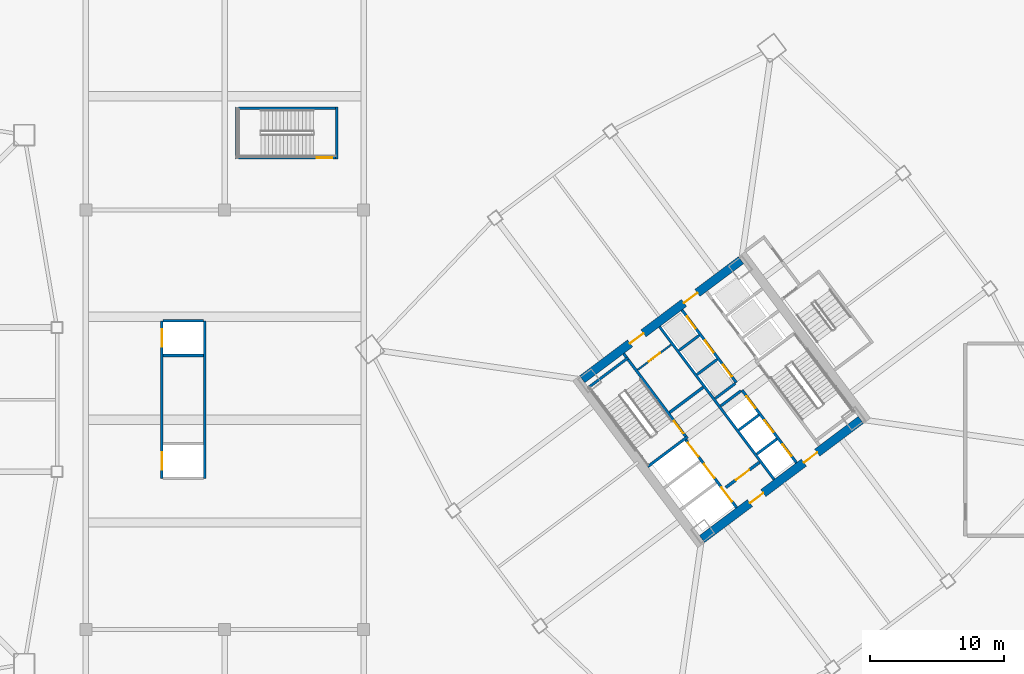
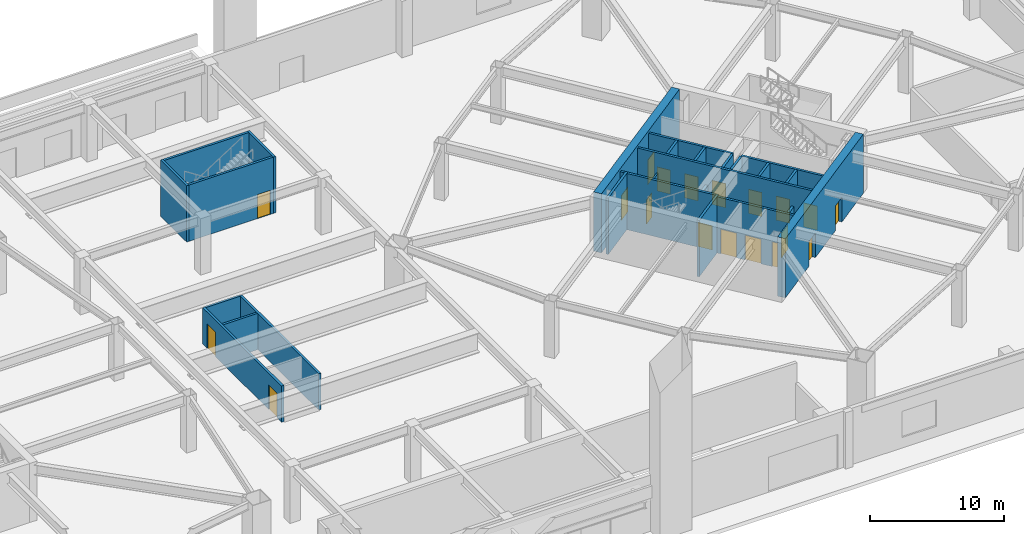
# One storey, part 11 of 26: 26 walls, 19 doors, 19 openings.
"""IFC4 building model written with IfcOpenShell, lengths in metres."""

from ifc_helpers import new_model, si_unit, direction, frame, frame_2d, origin, place, context, subcontext, project, spatial, rectangle, extrude, material, layer, layer_set, type_object, element, fill, save


model = new_model("IFC4")

# Units and contexts
model_context = context("Model", 3, precision=1e-05, world=origin(), true_north=direction((0.0, 1.0)))
body_context = subcontext(model_context, "Body", "Model", "MODEL_VIEW")
ifc_project = project(units=[si_unit("LENGTHUNIT", "METRE"), si_unit("AREAUNIT", "SQUARE_METRE"), si_unit("VOLUMEUNIT", "CUBIC_METRE"), si_unit("PLANEANGLEUNIT", "RADIAN"), si_unit("MASSUNIT", "GRAM", prefix="KILO")], contexts=[model_context])

# Site, building, storey
site_placement = place(None, origin())
site = spatial("IfcSite", under=ifc_project, at=site_placement, CompositionType="ELEMENT")
building_placement = place(site_placement, origin())
building = spatial("IfcBuilding", under=site, at=building_placement, Name="Tashvorn Skyway Center", CompositionType="ELEMENT")
storey_placement = place(building_placement, origin())
storey = spatial("IfcBuildingStorey", under=building, at=storey_placement, Name="L00", CompositionType="ELEMENT", Elevation=0.0)

# Wall, openings, doors
ifc_material_1 = material(Name="Concrete C60/75", Category="concrete")
ifc_layer_1 = layer(ifc_material_1, 0.64990234375)
ifc_layer_set_1 = layer_set([ifc_layer_1], Name="Concrete C60/75")
wall_type_1 = type_object("IfcWallType", Name="WALL-CORE-650", PredefinedType="SHEAR", material=ifc_layer_set_1)
wall_1_placement = place(storey_placement, frame((124.428955078125, 30.47802734375, 0.0), z_axis=(0.0, 0.0, 1.0), x_axis=(-0.799998028465, -0.600002628705, 0.0)))
wall_1 = element("IfcWall", 1, at=wall_1_placement, inside=storey, type_object=wall_type_1, Name="Tower 2 L00 South Core Shear Wall", PredefinedType="SHEAR", context=body_context, shape_type="SweptSolid", body=[
    extrude(rectangle(XDim=14.85986328125, YDim=0.64990234375, at=frame_2d((7.429931640625, 0.0))), origin(), (0.0, 0.0, 1.0), 5.39990234375),
])
opening_1_placement = place(wall_1_placement, frame((9.1298828125, 0.0, 0.0)))
opening_1 = element("IfcOpeningElement", 2, at=opening_1_placement, cuts=wall_1, Name="Opening D-FFL-1250", PredefinedType="OPENING", context=body_context, shape_type="SweptSolid", body=[
    extrude(rectangle(XDim=1.25, YDim=2.25, at=frame_2d((0.625, 1.125))), frame((0.0, 0.3349609375, 0.0), z_axis=(0.0, -1.0, 0.0), x_axis=(1.0, 0.0, 0.0)), (0.0, 0.0, 1.0), 0.669921875),
])
opening_2_placement = place(wall_1_placement, frame((4.080078125, 0.0, 0.0)))
opening_2 = element("IfcOpeningElement", 3, at=opening_2_placement, cuts=wall_1, Name="Opening D-FFL-1250", PredefinedType="OPENING", context=body_context, shape_type="SweptSolid", body=[
    extrude(rectangle(XDim=1.25, YDim=2.25, at=frame_2d((0.625, 1.125))), frame((0.0, 0.3349609375, 0.0), z_axis=(0.0, -1.0, 0.0), x_axis=(1.0, 0.0, 0.0)), (0.0, 0.0, 1.0), 0.669921875),
])
ifc_material_2 = material(Name="Hollow galvanized steel fire door assembly", Category="steel")
door_type_1 = type_object("IfcDoorType", Name="DOOR-FFL-1250", OperationType="NOTDEFINED", PredefinedType="DOOR", material=ifc_material_2)
door_1_placement = place(opening_1_placement, origin())
door_1 = element("IfcDoor", 4, at=door_1_placement, inside=storey, type_object=door_type_1, Name="Tower 2 L00 Core South Firefighting Exit Door", OperationType="SINGLE_SWING_LEFT", OverallHeight=2.25, OverallWidth=1.25, PredefinedType="DOOR", context=body_context, shape_type="SweptSolid", body=[
    extrude(rectangle(XDim=1.25, YDim=2.25, at=frame_2d((0.625, 1.125))), frame((0.0, 0.02490234375, 0.0), z_axis=(0.0, -1.0, 0.0), x_axis=(1.0, 0.0, 0.0)), (0.0, 0.0, 1.0), 0.050048828125),
])
fill(opening_1, door_1)
door_2_placement = place(opening_2_placement, origin())
door_2 = element("IfcDoor", 5, at=door_2_placement, inside=storey, type_object=door_type_1, Name="Tower 2 L00 Core South Lift Lobby Door", OperationType="SINGLE_SWING_RIGHT", OverallHeight=2.25, OverallWidth=1.25, PredefinedType="DOOR", context=body_context, shape_type="SweptSolid", body=[
    extrude(rectangle(XDim=1.25, YDim=2.25, at=frame_2d((0.625, 1.125))), frame((0.0, 0.02490234375, 0.0), z_axis=(0.0, -1.0, 0.0), x_axis=(1.0, 0.0, 0.0)), (0.0, 0.0, 1.0), 0.050048828125),
])
fill(opening_2, door_2)

wall_2_placement = place(storey_placement, frame((103.571044921875, 33.52197265625, 0.0), z_axis=(0.0, 0.0, 1.0), x_axis=(0.799998028465, 0.600002628705, 0.0)))
wall_2 = element("IfcWall", 6, at=wall_2_placement, inside=storey, type_object=wall_type_1, Name="Tower 2 L00 North Core Shear Wall", PredefinedType="SHEAR", context=body_context, shape_type="SweptSolid", body=[
    extrude(rectangle(XDim=14.85986328125, YDim=0.64990234375, at=frame_2d((7.429931640625, 0.0))), origin(), (0.0, 0.0, 1.0), 5.39990234375),
])
opening_3_placement = place(wall_2_placement, frame((4.47998046875, 0.0, 0.0)))
opening_3 = element("IfcOpeningElement", 7, at=opening_3_placement, cuts=wall_2, Name="Opening D-FFL-1250", PredefinedType="OPENING", context=body_context, shape_type="SweptSolid", body=[
    extrude(rectangle(XDim=1.25, YDim=2.25, at=frame_2d((0.625, 1.125))), frame((0.0, 0.3349609375, 0.0), z_axis=(0.0, -1.0, 0.0), x_axis=(1.0, 0.0, 0.0)), (0.0, 0.0, 1.0), 0.669921875),
])
opening_4_placement = place(wall_2_placement, frame((9.530029296875, 0.0, 0.0)))
opening_4 = element("IfcOpeningElement", 8, at=opening_4_placement, cuts=wall_2, Name="Opening D-FFL-1250", PredefinedType="OPENING", context=body_context, shape_type="SweptSolid", body=[
    extrude(rectangle(XDim=1.25, YDim=2.25, at=frame_2d((0.625, 1.125))), frame((0.0, 0.3349609375, 0.0), z_axis=(0.0, -1.0, 0.0), x_axis=(1.0, 0.0, 0.0)), (0.0, 0.0, 1.0), 0.669921875),
])
door_3_placement = place(opening_3_placement, origin())
door_3 = element("IfcDoor", 9, at=door_3_placement, inside=storey, type_object=door_type_1, Name="Tower 2 L00 Core North Service Lobby Door", OperationType="SINGLE_SWING_LEFT", OverallHeight=2.25, OverallWidth=1.25, PredefinedType="DOOR", context=body_context, shape_type="SweptSolid", body=[
    extrude(rectangle(XDim=1.25, YDim=2.25, at=frame_2d((0.625, 1.125))), frame((0.0, 0.02490234375, 0.0), z_axis=(0.0, -1.0, 0.0), x_axis=(1.0, 0.0, 0.0)), (0.0, 0.0, 1.0), 0.050048828125),
])
fill(opening_3, door_3)
door_4_placement = place(opening_4_placement, origin())
door_4 = element("IfcDoor", 10, at=door_4_placement, inside=storey, type_object=door_type_1, Name="Tower 2 L00 Core North Lift Lobby Door", OperationType="SINGLE_SWING_RIGHT", OverallHeight=2.25, OverallWidth=1.25, PredefinedType="DOOR", context=body_context, shape_type="SweptSolid", body=[
    extrude(rectangle(XDim=1.25, YDim=2.25, at=frame_2d((0.625, 1.125))), frame((0.0, 0.02490234375, 0.0), z_axis=(0.0, -1.0, 0.0), x_axis=(1.0, 0.0, 0.0)), (0.0, 0.0, 1.0), 0.050048828125),
])
fill(opening_4, door_4)

# Wall
ifc_material_3 = material(Name="Concrete C40/50", Category="concrete")
ifc_layer_2 = layer(ifc_material_3, 0.219970703125)
ifc_layer_set_2 = layer_set([ifc_layer_2], Name="Concrete C40/50")
wall_type_2 = type_object("IfcWallType", Name="WALL-FFL-220", PredefinedType="SOLIDWALL", material=ifc_layer_set_2)
wall_3_placement = place(storey_placement, frame((110.10400390625, 31.028076171875, 0.0), z_axis=(0.0, 0.0, 1.0), x_axis=(0.800018601094, 0.59997519774, 0.0)))
element("IfcWall", 11, at=wall_3_placement, inside=storey, type_object=wall_type_2, Name="Tower 2 L00 Firefighting Lobby North Wall", PredefinedType="SOLIDWALL", context=body_context, shape_type="SweptSolid", body=[
    extrude(rectangle(XDim=3.14990234375, YDim=0.219970703125, at=frame_2d((1.574951171875, 0.0))), origin(), (0.0, 0.0, 1.0), 3.31005859375),
])

# Wall, opening, door
wall_4_placement = place(storey_placement, frame((114.31591796875, 25.412109375, 0.0), z_axis=(0.0, 0.0, 1.0), x_axis=(0.800018601094, 0.59997519774, 0.0)))
wall_4 = element("IfcWall", 12, at=wall_4_placement, inside=storey, type_object=wall_type_2, Name="Tower 2 L00 Firefighting Lobby South Wall", PredefinedType="SOLIDWALL", context=body_context, shape_type="SweptSolid", body=[
    extrude(rectangle(XDim=3.14990234375, YDim=0.219970703125, at=frame_2d((1.574951171875, 0.0))), origin(), (0.0, 0.0, 1.0), 3.31005859375),
])
opening_5_placement = place(wall_4_placement, frame((0.949951171875, 0.0, 0.0)))
opening_5 = element("IfcOpeningElement", 13, at=opening_5_placement, cuts=wall_4, Name="Opening D-FFL-1250", PredefinedType="OPENING", context=body_context, shape_type="SweptSolid", body=[
    extrude(rectangle(XDim=1.25, YDim=2.25, at=frame_2d((0.625, 1.125))), frame((0.0, 0.119873046875, 0.0), z_axis=(0.0, -1.0, 0.0), x_axis=(1.0, 0.0, 0.0)), (0.0, 0.0, 1.0), 0.239990234375),
])
door_5_placement = place(opening_5_placement, origin())
door_5 = element("IfcDoor", 14, at=door_5_placement, inside=storey, type_object=door_type_1, Name="Tower 2 L00 Firefighting Lobby Egress Door", OperationType="SINGLE_SWING_LEFT", OverallHeight=2.25, OverallWidth=1.25, PredefinedType="DOOR", context=body_context, shape_type="SweptSolid", body=[
    extrude(rectangle(XDim=1.25, YDim=2.25, at=frame_2d((0.625, 1.125))), frame((0.0, 0.02490234375, 0.0), z_axis=(0.0, -1.0, 0.0), x_axis=(1.0, 0.0, 0.0)), (0.0, 0.0, 1.0), 0.050048828125),
])
fill(opening_5, door_5)

ifc_material_4 = material(Name="Gypsum board on cold-formed steel stud framing", Category="steel")
ifc_layer_3 = layer(ifc_material_4, 0.135009765625)
ifc_layer_set_3 = layer_set([ifc_layer_3], Name="Gypsum board on cold-formed steel stud framing")
wall_type_3 = type_object("IfcWallType", Name="WALL-RATED-135", PredefinedType="PARTITIONING", material=ifc_layer_set_3)
wall_5_placement = place(storey_placement, frame((107.7099609375, 34.219970703125, 0.0), z_axis=(0.0, 0.0, 1.0), x_axis=(0.799981399002, 0.60002480053, 0.0)))
wall_5 = element("IfcWall", 15, at=wall_5_placement, inside=storey, type_object=wall_type_3, Name="Tower 2 L00 Core Service Lobby Wall", PredefinedType="PARTITIONING", context=body_context, shape_type="SweptSolid", body=[
    extrude(rectangle(XDim=3.150146484375, YDim=0.135009765625, at=frame_2d((1.5751953125, 0.0))), origin(), (0.0, 0.0, 1.0), 3.31005859375),
])
opening_6_placement = place(wall_5_placement, frame((1.050048828125, 0.0, 0.0)))
opening_6 = element("IfcOpeningElement", 16, at=opening_6_placement, cuts=wall_5, Name="Opening D-RT-1050", PredefinedType="OPENING", context=body_context, shape_type="SweptSolid", body=[
    extrude(rectangle(XDim=1.050048828125, YDim=2.199951171875, at=frame_2d((0.52490234375, 1.10009765625))), frame((0.0, 0.077392578125, 0.0), z_axis=(0.0, -1.0, 0.0), x_axis=(1.0, 0.0, 0.0)), (0.0, 0.0, 1.0), 0.155029296875),
])
door_type_2 = type_object("IfcDoorType", Name="DOOR-RATED-1050", OperationType="NOTDEFINED", PredefinedType="DOOR", material=ifc_material_2)
door_6_placement = place(opening_6_placement, origin())
door_6 = element("IfcDoor", 17, at=door_6_placement, inside=storey, type_object=door_type_2, Name="Tower 2 L00 Core Accessible WC Door", OperationType="SINGLE_SWING_LEFT", OverallHeight=2.199951171875, OverallWidth=1.050048828125, PredefinedType="DOOR", context=body_context, shape_type="SweptSolid", body=[
    extrude(rectangle(XDim=1.050048828125, YDim=2.199951171875, at=frame_2d((0.52490234375, 1.10009765625))), frame((0.0, 0.02490234375, 0.0), z_axis=(0.0, -1.0, 0.0), x_axis=(1.0, 0.0, 0.0)), (0.0, 0.0, 1.0), 0.050048828125),
])
fill(opening_6, door_6)

# Wall, openings, doors
ifc_layer_4 = layer(ifc_material_3, 0.199951171875)
ifc_layer_set_4 = layer_set([ifc_layer_4], Name="Concrete C40/50")
wall_type_4 = type_object("IfcWallType", Name="WALL-SHAFT-200", PredefinedType="SOLIDWALL", material=ifc_layer_set_4)
wall_6_placement = place(storey_placement, frame((119.610107421875, 27.27001953125, 0.0), z_axis=(0.0, 0.0, 1.0), x_axis=(-0.600011488909, 0.79999138319, 0.0)))
wall_6 = element("IfcWall", 18, at=wall_6_placement, inside=storey, type_object=wall_type_4, Name="Tower 2 L00 Low-Rise Core Wall", PredefinedType="SOLIDWALL", context=body_context, shape_type="SweptSolid", body=[
    extrude(rectangle(XDim=6.800048828125, YDim=0.199951171875, at=frame_2d((3.39990234375, 0.0))), origin(), (0.0, 0.0, 1.0), 5.139892578125),
])
opening_7_placement = place(wall_6_placement, frame((0.625, 0.0, 0.0)))
opening_7 = element("IfcOpeningElement", 19, at=opening_7_placement, cuts=wall_6, Name="Opening LD-LR-T2-1-L00", PredefinedType="OPENING", context=body_context, shape_type="SweptSolid", body=[
    extrude(rectangle(XDim=1.10009765625, YDim=2.199951171875, at=frame_2d((0.550048828125, 1.10009765625))), frame((0.0, 0.10986328125, 0.0), z_axis=(0.0, -1.0, 0.0), x_axis=(1.0, 0.0, 0.0)), (0.0, 0.0, 1.0), 0.219970703125),
])
opening_8_placement = place(wall_6_placement, frame((2.875, 0.0, 0.0)))
opening_8 = element("IfcOpeningElement", 20, at=opening_8_placement, cuts=wall_6, Name="Opening LD-LR-T2-2-L00", PredefinedType="OPENING", context=body_context, shape_type="SweptSolid", body=[
    extrude(rectangle(XDim=1.10009765625, YDim=2.199951171875, at=frame_2d((0.550048828125, 1.10009765625))), frame((0.0, 0.10986328125, 0.0), z_axis=(0.0, -1.0, 0.0), x_axis=(1.0, 0.0, 0.0)), (0.0, 0.0, 1.0), 0.219970703125),
])
opening_9_placement = place(wall_6_placement, frame((5.125, 0.0, 0.0)))
opening_9 = element("IfcOpeningElement", 21, at=opening_9_placement, cuts=wall_6, Name="Opening LD-LR-T2-3-L00", PredefinedType="OPENING", context=body_context, shape_type="SweptSolid", body=[
    extrude(rectangle(XDim=1.10009765625, YDim=2.199951171875, at=frame_2d((0.550048828125, 1.10009765625))), frame((0.0, 0.10986328125, 0.0), z_axis=(0.0, -1.0, 0.0), x_axis=(1.0, 0.0, 0.0)), (0.0, 0.0, 1.0), 0.219970703125),
])
ifc_material_5 = material(Name="Stainless steel landing door", Category="steel")
door_type_3 = type_object("IfcDoorType", Name="DOOR-LIFT-1100", OperationType="SLIDING_TO_LEFT", PredefinedType="DOOR", material=ifc_material_5)
door_7_placement = place(opening_7_placement, origin())
door_7 = element("IfcDoor", 22, at=door_7_placement, inside=storey, type_object=door_type_3, Name="Lift LR-T2-1 L00 Landing Door", OperationType="SLIDING_TO_LEFT", OverallHeight=2.199951171875, OverallWidth=1.10009765625, PredefinedType="DOOR", context=body_context, shape_type="SweptSolid", body=[
    extrude(rectangle(XDim=1.10009765625, YDim=2.199951171875, at=frame_2d((0.550048828125, 1.10009765625))), frame((0.0, 0.02490234375, 0.0), z_axis=(0.0, -1.0, 0.0), x_axis=(1.0, 0.0, 0.0)), (0.0, 0.0, 1.0), 0.050048828125),
])
fill(opening_7, door_7)
door_8_placement = place(opening_8_placement, origin())
door_8 = element("IfcDoor", 23, at=door_8_placement, inside=storey, type_object=door_type_3, Name="Lift LR-T2-2 L00 Landing Door", OperationType="SLIDING_TO_LEFT", OverallHeight=2.199951171875, OverallWidth=1.10009765625, PredefinedType="DOOR", context=body_context, shape_type="SweptSolid", body=[
    extrude(rectangle(XDim=1.10009765625, YDim=2.199951171875, at=frame_2d((0.550048828125, 1.10009765625))), frame((0.0, 0.02490234375, 0.0), z_axis=(0.0, -1.0, 0.0), x_axis=(1.0, 0.0, 0.0)), (0.0, 0.0, 1.0), 0.050048828125),
])
fill(opening_8, door_8)
door_9_placement = place(opening_9_placement, origin())
door_9 = element("IfcDoor", 24, at=door_9_placement, inside=storey, type_object=door_type_3, Name="Lift LR-T2-3 L00 Landing Door", OperationType="SLIDING_TO_LEFT", OverallHeight=2.199951171875, OverallWidth=1.10009765625, PredefinedType="DOOR", context=body_context, shape_type="SweptSolid", body=[
    extrude(rectangle(XDim=1.10009765625, YDim=2.199951171875, at=frame_2d((0.550048828125, 1.10009765625))), frame((0.0, 0.02490234375, 0.0), z_axis=(0.0, -1.0, 0.0), x_axis=(1.0, 0.0, 0.0)), (0.0, 0.0, 1.0), 0.050048828125),
])
fill(opening_9, door_9)

# Walls
wall_7_placement = place(storey_placement, frame((116.64599609375, 27.922119140625, 0.0), z_axis=(0.0, 0.0, 1.0), x_axis=(0.8, 0.6, 0.0)))
element("IfcWall", 25, at=wall_7_placement, inside=storey, type_object=wall_type_4, Name="Tower 2 L00 Low-Rise Shaft Divider", PredefinedType="SOLIDWALL", context=body_context, shape_type="SweptSolid", body=[
    extrude(rectangle(XDim=1.8798828125, YDim=0.199951171875, at=frame_2d((0.93994140625, 0.0))), origin(), (0.0, 0.0, 1.0), 5.139892578125),
])
wall_8_placement = place(storey_placement, frame((115.2958984375, 29.721923828125, 0.0), z_axis=(0.0, 0.0, 1.0), x_axis=(0.799984418148, 0.600020775241, 0.0)))
element("IfcWall", 26, at=wall_8_placement, inside=storey, type_object=wall_type_4, Name="Tower 2 L00 Low-Rise Shaft Divider", PredefinedType="SOLIDWALL", context=body_context, shape_type="SweptSolid", body=[
    extrude(rectangle(XDim=1.880126953125, YDim=0.199951171875, at=frame_2d((0.93994140625, 0.0))), origin(), (0.0, 0.0, 1.0), 5.139892578125),
])
wall_9_placement = place(storey_placement, frame((113.946044921875, 31.52197265625, 0.0), z_axis=(0.0, 0.0, 1.0), x_axis=(0.8, 0.6, 0.0)))
element("IfcWall", 27, at=wall_9_placement, inside=storey, type_object=wall_type_4, Name="Tower 2 L00 Low-Rise Shaft Divider", PredefinedType="SOLIDWALL", context=body_context, shape_type="SweptSolid", body=[
    extrude(rectangle(XDim=1.8798828125, YDim=0.199951171875, at=frame_2d((0.93994140625, 0.0))), origin(), (0.0, 0.0, 1.0), 5.139892578125),
])

# Wall, openings, doors
wall_10_placement = place(storey_placement, frame((115.110107421875, 33.27001953125, 0.0), z_axis=(0.0, 0.0, 1.0), x_axis=(-0.600011488909, 0.79999138319, 0.0)))
wall_10 = element("IfcWall", 28, at=wall_10_placement, inside=storey, type_object=wall_type_4, Name="Tower 2 L00 Mid-Rise Core Wall", PredefinedType="SOLIDWALL", context=body_context, shape_type="SweptSolid", body=[
    extrude(rectangle(XDim=6.800048828125, YDim=0.199951171875, at=frame_2d((3.39990234375, 0.0))), origin(), (0.0, 0.0, 1.0), 5.139892578125),
])
opening_10_placement = place(wall_10_placement, frame((0.574951171875, 0.0, 0.0)))
opening_10 = element("IfcOpeningElement", 29, at=opening_10_placement, cuts=wall_10, Name="Opening LD-MR-T2-1-L00", PredefinedType="OPENING", context=body_context, shape_type="SweptSolid", body=[
    extrude(rectangle(XDim=1.10009765625, YDim=2.199951171875, at=frame_2d((0.550048828125, 1.10009765625))), frame((0.0, 0.10986328125, 0.0), z_axis=(0.0, -1.0, 0.0), x_axis=(1.0, 0.0, 0.0)), (0.0, 0.0, 1.0), 0.219970703125),
])
opening_11_placement = place(wall_10_placement, frame((2.824951171875, 0.0, 0.0)))
opening_11 = element("IfcOpeningElement", 30, at=opening_11_placement, cuts=wall_10, Name="Opening LD-MR-T2-2-L00", PredefinedType="OPENING", context=body_context, shape_type="SweptSolid", body=[
    extrude(rectangle(XDim=1.10009765625, YDim=2.199951171875, at=frame_2d((0.550048828125, 1.10009765625))), frame((0.0, 0.10986328125, 0.0), z_axis=(0.0, -1.0, 0.0), x_axis=(1.0, 0.0, 0.0)), (0.0, 0.0, 1.0), 0.219970703125),
])
opening_12_placement = place(wall_10_placement, frame((5.074951171875, 0.0, 0.0)))
opening_12 = element("IfcOpeningElement", 31, at=opening_12_placement, cuts=wall_10, Name="Opening LD-MR-T2-3-L00", PredefinedType="OPENING", context=body_context, shape_type="SweptSolid", body=[
    extrude(rectangle(XDim=1.10009765625, YDim=2.199951171875, at=frame_2d((0.550048828125, 1.10009765625))), frame((0.0, 0.10986328125, 0.0), z_axis=(0.0, -1.0, 0.0), x_axis=(1.0, 0.0, 0.0)), (0.0, 0.0, 1.0), 0.219970703125),
])
door_10_placement = place(opening_10_placement, origin())
door_10 = element("IfcDoor", 32, at=door_10_placement, inside=storey, type_object=door_type_3, Name="Lift MR-T2-1 L00 Landing Door", OperationType="SLIDING_TO_LEFT", OverallHeight=2.199951171875, OverallWidth=1.10009765625, PredefinedType="DOOR", context=body_context, shape_type="SweptSolid", body=[
    extrude(rectangle(XDim=1.10009765625, YDim=2.199951171875, at=frame_2d((0.550048828125, 1.10009765625))), frame((0.0, 0.02490234375, 0.0), z_axis=(0.0, -1.0, 0.0), x_axis=(1.0, 0.0, 0.0)), (0.0, 0.0, 1.0), 0.050048828125),
])
fill(opening_10, door_10)
door_11_placement = place(opening_11_placement, origin())
door_11 = element("IfcDoor", 33, at=door_11_placement, inside=storey, type_object=door_type_3, Name="Lift MR-T2-2 L00 Landing Door", OperationType="SLIDING_TO_LEFT", OverallHeight=2.199951171875, OverallWidth=1.10009765625, PredefinedType="DOOR", context=body_context, shape_type="SweptSolid", body=[
    extrude(rectangle(XDim=1.10009765625, YDim=2.199951171875, at=frame_2d((0.550048828125, 1.10009765625))), frame((0.0, 0.02490234375, 0.0), z_axis=(0.0, -1.0, 0.0), x_axis=(1.0, 0.0, 0.0)), (0.0, 0.0, 1.0), 0.050048828125),
])
fill(opening_11, door_11)
door_12_placement = place(opening_12_placement, origin())
door_12 = element("IfcDoor", 34, at=door_12_placement, inside=storey, type_object=door_type_3, Name="Lift MR-T2-3 L00 Landing Door", OperationType="SLIDING_TO_LEFT", OverallHeight=2.199951171875, OverallWidth=1.10009765625, PredefinedType="DOOR", context=body_context, shape_type="SweptSolid", body=[
    extrude(rectangle(XDim=1.10009765625, YDim=2.199951171875, at=frame_2d((0.550048828125, 1.10009765625))), frame((0.0, 0.02490234375, 0.0), z_axis=(0.0, -1.0, 0.0), x_axis=(1.0, 0.0, 0.0)), (0.0, 0.0, 1.0), 0.050048828125),
])
fill(opening_12, door_12)

# Walls
wall_11_placement = place(storey_placement, frame((113.52587890625, 32.08203125, 0.0), z_axis=(0.0, 0.0, 1.0), x_axis=(0.800046745961, 0.599937666993, 0.0)))
element("IfcWall", 35, at=wall_11_placement, inside=storey, type_object=wall_type_4, Name="Tower 2 L00 Mid-Rise Shaft Divider", PredefinedType="SOLIDWALL", context=body_context, shape_type="SweptSolid", body=[
    extrude(rectangle(XDim=1.880126953125, YDim=0.199951171875, at=frame_2d((0.93994140625, 0.0))), origin(), (0.0, 0.0, 1.0), 5.139892578125),
])
wall_12_placement = place(storey_placement, frame((112.176025390625, 33.882080078125, 0.0), z_axis=(0.0, 0.0, 1.0), x_axis=(0.8, 0.6, 0.0)))
element("IfcWall", 36, at=wall_12_placement, inside=storey, type_object=wall_type_4, Name="Tower 2 L00 Mid-Rise Shaft Divider", PredefinedType="SOLIDWALL", context=body_context, shape_type="SweptSolid", body=[
    extrude(rectangle(XDim=1.8798828125, YDim=0.199951171875, at=frame_2d((0.93994140625, 0.0))), origin(), (0.0, 0.0, 1.0), 5.139892578125),
])
wall_13_placement = place(storey_placement, frame((110.825927734375, 35.681884765625, 0.0), z_axis=(0.0, 0.0, 1.0), x_axis=(0.799984418148, 0.600020775241, 0.0)))
element("IfcWall", 37, at=wall_13_placement, inside=storey, type_object=wall_type_4, Name="Tower 2 L00 Mid-Rise Shaft Divider", PredefinedType="SOLIDWALL", context=body_context, shape_type="SweptSolid", body=[
    extrude(rectangle(XDim=1.880126953125, YDim=0.199951171875, at=frame_2d((0.93994140625, 0.0))), origin(), (0.0, 0.0, 1.0), 5.139892578125),
])

# Wall, openings, doors
wall_14_placement = place(storey_placement, frame((72.10009765625, 26.10009765625, 0.0), z_axis=(0.0, 0.0, 1.0), x_axis=(0.0, 1.0, 0.0)))
wall_14 = element("IfcWall", 38, at=wall_14_placement, inside=storey, type_object=wall_type_4, Name="L00 Station Lift Front Wall", PredefinedType="SOLIDWALL", context=body_context, shape_type="SweptSolid", body=[
    extrude(rectangle(XDim=11.7998046875, YDim=0.199951171875, at=frame_2d((5.89990234375, 0.0))), origin(), (0.0, 0.0, 1.0), 3.31005859375),
])
opening_13_placement = place(wall_14_placement, frame((0.64990234375, 0.0, 0.0)))
opening_13 = element("IfcOpeningElement", 39, at=opening_13_placement, cuts=wall_14, Name="Opening LD-STN-L1-L00", PredefinedType="OPENING", context=body_context, shape_type="SweptSolid", body=[
    extrude(rectangle(XDim=1.300048828125, YDim=2.25, at=frame_2d((0.64990234375, 1.125))), frame((0.0, 0.10986328125, 0.0), z_axis=(0.0, -1.0, 0.0), x_axis=(1.0, 0.0, 0.0)), (0.0, 0.0, 1.0), 0.219970703125),
])
opening_14_placement = place(wall_14_placement, frame((9.85009765625, 0.0, 0.0)))
opening_14 = element("IfcOpeningElement", 40, at=opening_14_placement, cuts=wall_14, Name="Opening LD-STN-L2-L00", PredefinedType="OPENING", context=body_context, shape_type="SweptSolid", body=[
    extrude(rectangle(XDim=1.300048828125, YDim=2.25, at=frame_2d((0.64990234375, 1.125))), frame((0.0, 0.10986328125, 0.0), z_axis=(0.0, -1.0, 0.0), x_axis=(1.0, 0.0, 0.0)), (0.0, 0.0, 1.0), 0.219970703125),
])
ifc_material_6 = material(Name="Stainless steel heavy-duty landing door", Category="steel")
door_type_4 = type_object("IfcDoorType", Name="DOOR-LIFT-1300", OperationType="SLIDING_TO_LEFT", PredefinedType="DOOR", material=ifc_material_6)
door_13_placement = place(opening_13_placement, origin())
door_13 = element("IfcDoor", 41, at=door_13_placement, inside=storey, type_object=door_type_4, Name="Station Lift STN-L1 L00 Landing Door", OperationType="SLIDING_TO_LEFT", OverallHeight=2.25, OverallWidth=1.300048828125, PredefinedType="DOOR", context=body_context, shape_type="SweptSolid", body=[
    extrude(rectangle(XDim=1.300048828125, YDim=2.25, at=frame_2d((0.64990234375, 1.125))), frame((0.0, 0.02490234375, 0.0), z_axis=(0.0, -1.0, 0.0), x_axis=(1.0, 0.0, 0.0)), (0.0, 0.0, 1.0), 0.050048828125),
])
fill(opening_13, door_13)
door_14_placement = place(opening_14_placement, origin())
door_14 = element("IfcDoor", 42, at=door_14_placement, inside=storey, type_object=door_type_4, Name="Station Lift STN-L2 L00 Landing Door", OperationType="SLIDING_TO_LEFT", OverallHeight=2.25, OverallWidth=1.300048828125, PredefinedType="DOOR", context=body_context, shape_type="SweptSolid", body=[
    extrude(rectangle(XDim=1.300048828125, YDim=2.25, at=frame_2d((0.64990234375, 1.125))), frame((0.0, 0.02490234375, 0.0), z_axis=(0.0, -1.0, 0.0), x_axis=(1.0, 0.0, 0.0)), (0.0, 0.0, 1.0), 0.050048828125),
])
fill(opening_14, door_14)

# Walls
wall_15_placement = place(storey_placement, frame((75.300048828125, 26.10009765625, 0.0), z_axis=(0.0, 0.0, 1.0), x_axis=(0.0, 1.0, 0.0)))
element("IfcWall", 43, at=wall_15_placement, inside=storey, type_object=wall_type_4, Name="L00 Station Lift Rear Wall", PredefinedType="SOLIDWALL", context=body_context, shape_type="SweptSolid", body=[
    extrude(rectangle(XDim=11.7998046875, YDim=0.199951171875, at=frame_2d((5.89990234375, 0.0))), origin(), (0.0, 0.0, 1.0), 3.31005859375),
])
for number, where, z_axis, x_axis, name in (
    (44, (72.199951171875, 35.300048828125, 0.0), (0.0, 0.0, 1.0), (1.0, 0.0, 0.0), "L00 Station Lift Divider"),
    (45, (72.199951171875, 37.89990234375, 0.0), (0.0, 0.0, 1.0), (1.0, 0.0, 0.0), "L00 Station Lift Divider"),
):
    element("IfcWall", number, at=place(storey_placement, frame(where, z_axis=z_axis, x_axis=x_axis)), inside=storey, type_object=wall_type_4, Name=name, PredefinedType="SOLIDWALL", context=body_context, shape_type="SweptSolid", body=[
        extrude(rectangle(XDim=3.0, YDim=0.199951171875, at=frame_2d((1.5, 0.0))), origin(), (0.0, 0.0, 1.0), 3.31005859375),
    ])

# Wall, opening, door
ifc_layer_5 = layer(ifc_material_3, 0.199951171875)
ifc_layer_set_5 = layer_set([ifc_layer_5], Name="Concrete C40/50")
wall_type_5 = type_object("IfcWallType", Name="WALL-STSHF-200", PredefinedType="SHEAR", material=ifc_layer_set_5)
wall_16_placement = place(storey_placement, frame((106.669921875, 35.43994140625, 0.0), z_axis=(0.0, 0.0, 1.0), x_axis=(0.600009827119, -0.799992629566, 0.0)))
wall_16 = element("IfcWall", 46, at=wall_16_placement, inside=storey, type_object=wall_type_5, Name="Tower 2 L00 Stair 1 Enclosure Wall", PredefinedType="SHEAR", context=body_context, shape_type="SweptSolid", body=[
    extrude(rectangle(XDim=7.949951171875, YDim=0.199951171875, at=frame_2d((3.97509765625, 0.0))), origin(), (0.0, 0.0, 1.0), 5.139892578125),
])
opening_15_placement = place(wall_16_placement, frame((6.300048828125, 0.0, 0.0)))
opening_15 = element("IfcOpeningElement", 47, at=opening_15_placement, cuts=wall_16, Name="Opening D-ST-1150", PredefinedType="OPENING", context=body_context, shape_type="SweptSolid", body=[
    extrude(rectangle(XDim=1.14990234375, YDim=2.199951171875, at=frame_2d((0.574951171875, 1.10009765625))), frame((0.0, 0.10986328125, 0.0), z_axis=(0.0, -1.0, 0.0), x_axis=(1.0, 0.0, 0.0)), (0.0, 0.0, 1.0), 0.219970703125),
])
door_type_5 = type_object("IfcDoorType", Name="DOOR-STAIR-1150", OperationType="NOTDEFINED", PredefinedType="DOOR", material=ifc_material_2)
door_15_placement = place(opening_15_placement, origin())
door_15 = element("IfcDoor", 48, at=door_15_placement, inside=storey, type_object=door_type_5, Name="Tower 2 L00 Exit Stair 1 Discharge Door", OperationType="SINGLE_SWING_LEFT", OverallHeight=2.199951171875, OverallWidth=1.14990234375, PredefinedType="DOOR", context=body_context, shape_type="SweptSolid", body=[
    extrude(rectangle(XDim=1.14990234375, YDim=2.199951171875, at=frame_2d((0.574951171875, 1.10009765625))), frame((0.0, 0.02490234375, 0.0), z_axis=(0.0, -1.0, 0.0), x_axis=(1.0, 0.0, 0.0)), (0.0, 0.0, 1.0), 0.050048828125),
])
fill(opening_15, door_15)

# Walls
for number, where, z_axis, x_axis, name in (
    (49, (108.47607421875, 26.98193359375, 0.0), (0.0, 0.0, 1.0), (0.799984290658, 0.600020945218, 0.0), "Tower 2 L00 Stair 1 South Wall"),
    (50, (104.035888671875, 32.902099609375, 0.0), (0.0, 0.0, 1.0), (0.800039270442, 0.59994763584, 0.0), "Tower 2 L00 Stair 1 North Wall"),
):
    element("IfcWall", number, at=place(storey_placement, frame(where, z_axis=z_axis, x_axis=x_axis)), inside=storey, type_object=wall_type_5, Name=name, PredefinedType="SHEAR", context=body_context, shape_type="SweptSolid", body=[
        extrude(rectangle(XDim=3.72998046875, YDim=0.199951171875, at=frame_2d((1.864990234375, 0.0))), origin(), (0.0, 0.0, 1.0), 5.139892578125),
    ])
wall_17_placement = place(storey_placement, frame((117.93798828125, 26.01611328125, 0.0), z_axis=(0.0, 0.0, 1.0), x_axis=(-0.600005463273, 0.799995902516, 0.0)))
element("IfcWall", 51, at=wall_17_placement, inside=storey, type_object=wall_type_5, Name="Tower 2 L00 Firefighting Lobby East Smoke Barrier", PredefinedType="SHEAR", context=body_context, shape_type="SweptSolid", body=[
    extrude(rectangle(XDim=14.300048828125, YDim=0.199951171875, at=frame_2d((7.14990234375, 0.0))), origin(), (0.0, 0.0, 1.0), 5.139892578125),
])

# Wall, openings, doors
wall_18_placement = place(storey_placement, frame((115.1298828125, 23.909912109375, 0.0), z_axis=(0.0, 0.0, 1.0), x_axis=(-0.599975393228, 0.800018454488, 0.0)))
wall_18 = element("IfcWall", 52, at=wall_18_placement, inside=storey, type_object=wall_type_5, Name="Tower 2 L00 FSAE and Goods Shaft Front Wall", PredefinedType="SHEAR", context=body_context, shape_type="SweptSolid", body=[
    extrude(rectangle(XDim=6.349853515625, YDim=0.199951171875, at=frame_2d((3.1748046875, 0.0))), origin(), (0.0, 0.0, 1.0), 5.139892578125),
])
opening_16_placement = place(wall_18_placement, frame((4.77490234375, 0.0, 0.0)))
opening_16 = element("IfcOpeningElement", 53, at=opening_16_placement, cuts=wall_18, Name="Opening LD-FF-T2-1-L00", PredefinedType="OPENING", context=body_context, shape_type="SweptSolid", body=[
    extrude(rectangle(XDim=1.300048828125, YDim=2.25, at=frame_2d((0.64990234375, 1.125))), frame((0.0, 0.10986328125, 0.0), z_axis=(0.0, -1.0, 0.0), x_axis=(1.0, 0.0, 0.0)), (0.0, 0.0, 1.0), 0.219970703125),
])
opening_17_placement = place(wall_18_placement, frame((2.77490234375, 0.0, 0.0)))
opening_17 = element("IfcOpeningElement", 54, at=opening_17_placement, cuts=wall_18, Name="Opening LD-FF-T2-2-L00", PredefinedType="OPENING", context=body_context, shape_type="SweptSolid", body=[
    extrude(rectangle(XDim=1.300048828125, YDim=2.25, at=frame_2d((0.64990234375, 1.125))), frame((0.0, 0.10986328125, 0.0), z_axis=(0.0, -1.0, 0.0), x_axis=(1.0, 0.0, 0.0)), (0.0, 0.0, 1.0), 0.219970703125),
])
opening_18_placement = place(wall_18_placement, frame((0.574951171875, 0.0, 0.0)))
opening_18 = element("IfcOpeningElement", 55, at=opening_18_placement, cuts=wall_18, Name="Opening LD-GD-T2-1-L00", PredefinedType="OPENING", context=body_context, shape_type="SweptSolid", body=[
    extrude(rectangle(XDim=1.300048828125, YDim=2.25, at=frame_2d((0.64990234375, 1.125))), frame((0.0, 0.10986328125, 0.0), z_axis=(0.0, -1.0, 0.0), x_axis=(1.0, 0.0, 0.0)), (0.0, 0.0, 1.0), 0.219970703125),
])
door_16_placement = place(opening_16_placement, origin())
door_16 = element("IfcDoor", 56, at=door_16_placement, inside=storey, type_object=door_type_4, Name="Lift FF-T2-1 L00 Landing Door", OperationType="SLIDING_TO_LEFT", OverallHeight=2.25, OverallWidth=1.300048828125, PredefinedType="DOOR", context=body_context, shape_type="SweptSolid", body=[
    extrude(rectangle(XDim=1.300048828125, YDim=2.25, at=frame_2d((0.64990234375, 1.125))), frame((0.0, 0.02490234375, 0.0), z_axis=(0.0, -1.0, 0.0), x_axis=(1.0, 0.0, 0.0)), (0.0, 0.0, 1.0), 0.050048828125),
])
fill(opening_16, door_16)
door_17_placement = place(opening_17_placement, origin())
door_17 = element("IfcDoor", 57, at=door_17_placement, inside=storey, type_object=door_type_4, Name="Lift FF-T2-2 L00 Landing Door", OperationType="SLIDING_TO_LEFT", OverallHeight=2.25, OverallWidth=1.300048828125, PredefinedType="DOOR", context=body_context, shape_type="SweptSolid", body=[
    extrude(rectangle(XDim=1.300048828125, YDim=2.25, at=frame_2d((0.64990234375, 1.125))), frame((0.0, 0.02490234375, 0.0), z_axis=(0.0, -1.0, 0.0), x_axis=(1.0, 0.0, 0.0)), (0.0, 0.0, 1.0), 0.050048828125),
])
fill(opening_17, door_17)
door_18_placement = place(opening_18_placement, origin())
door_18 = element("IfcDoor", 58, at=door_18_placement, inside=storey, type_object=door_type_4, Name="Lift GD-T2-1 L00 Landing Door", OperationType="SLIDING_TO_LEFT", OverallHeight=2.25, OverallWidth=1.300048828125, PredefinedType="DOOR", context=body_context, shape_type="SweptSolid", body=[
    extrude(rectangle(XDim=1.300048828125, YDim=2.25, at=frame_2d((0.64990234375, 1.125))), frame((0.0, 0.02490234375, 0.0), z_axis=(0.0, -1.0, 0.0), x_axis=(1.0, 0.0, 0.0)), (0.0, 0.0, 1.0), 0.050048828125),
])
fill(opening_18, door_18)

# Wall, opening, door
wall_19_placement = place(storey_placement, frame((85.300048828125, 50.10009765625, 0.0), z_axis=(0.0, 0.0, 1.0), x_axis=(-1.0, 0.0, 0.0)))
wall_19 = element("IfcWall", 59, at=wall_19_placement, inside=storey, type_object=wall_type_5, Name="L00 Podium Stair 2 South Wall", PredefinedType="SHEAR", context=body_context, shape_type="SweptSolid", body=[
    extrude(rectangle(XDim=7.699951171875, YDim=0.199951171875, at=frame_2d((3.85009765625, 0.0))), origin(), (0.0, 0.0, 1.0), 5.139892578125),
])
opening_19_placement = place(wall_19_placement, frame((0.449951171875, 0.0, 0.0)))
opening_19 = element("IfcOpeningElement", 60, at=opening_19_placement, cuts=wall_19, Name="Opening D-ST-1150", PredefinedType="OPENING", context=body_context, shape_type="SweptSolid", body=[
    extrude(rectangle(XDim=1.14990234375, YDim=2.199951171875, at=frame_2d((0.574951171875, 1.10009765625))), frame((0.0, 0.10986328125, 0.0), z_axis=(0.0, -1.0, 0.0), x_axis=(1.0, 0.0, 0.0)), (0.0, 0.0, 1.0), 0.219970703125),
])
door_19_placement = place(opening_19_placement, origin())
door_19 = element("IfcDoor", 61, at=door_19_placement, inside=storey, type_object=door_type_5, Name="L00 Podium Stair 2 Door", OperationType="SINGLE_SWING_RIGHT", OverallHeight=2.199951171875, OverallWidth=1.14990234375, PredefinedType="DOOR", context=body_context, shape_type="SweptSolid", body=[
    extrude(rectangle(XDim=1.14990234375, YDim=2.199951171875, at=frame_2d((0.574951171875, 1.10009765625))), frame((0.0, 0.02490234375, 0.0), z_axis=(0.0, -1.0, 0.0), x_axis=(1.0, 0.0, 0.0)), (0.0, 0.0, 1.0), 0.050048828125),
])
fill(opening_19, door_19)

# Walls
wall_20_placement = place(storey_placement, frame((77.60009765625, 53.800048828125, 0.0), z_axis=(0.0, 0.0, 1.0), x_axis=(1.0, 0.0, 0.0)))
element("IfcWall", 62, at=wall_20_placement, inside=storey, type_object=wall_type_5, Name="L00 Podium Stair 2 North Wall", PredefinedType="SHEAR", context=body_context, shape_type="SweptSolid", body=[
    extrude(rectangle(XDim=7.699951171875, YDim=0.199951171875, at=frame_2d((3.85009765625, 0.0))), origin(), (0.0, 0.0, 1.0), 5.139892578125),
])
for number, where, z_axis, x_axis, name in (
    (63, (77.699951171875, 50.0, 0.0), (0.0, 0.0, 1.0), (0.0, 1.0, 0.0), "L00 Podium Stair 2 West Wall"),
    (64, (85.199951171875, 50.0, 0.0), (0.0, 0.0, 1.0), (0.0, 1.0, 0.0), "L00 Podium Stair 2 East Wall"),
):
    element("IfcWall", number, at=place(storey_placement, frame(where, z_axis=z_axis, x_axis=x_axis)), inside=storey, type_object=wall_type_5, Name=name, PredefinedType="SHEAR", context=body_context, shape_type="SweptSolid", body=[
        extrude(rectangle(XDim=3.89990234375, YDim=0.199951171875, at=frame_2d((1.949951171875, 0.0))), origin(), (0.0, 0.0, 1.0), 5.139892578125),
    ])

save(model, "model.ifc")
